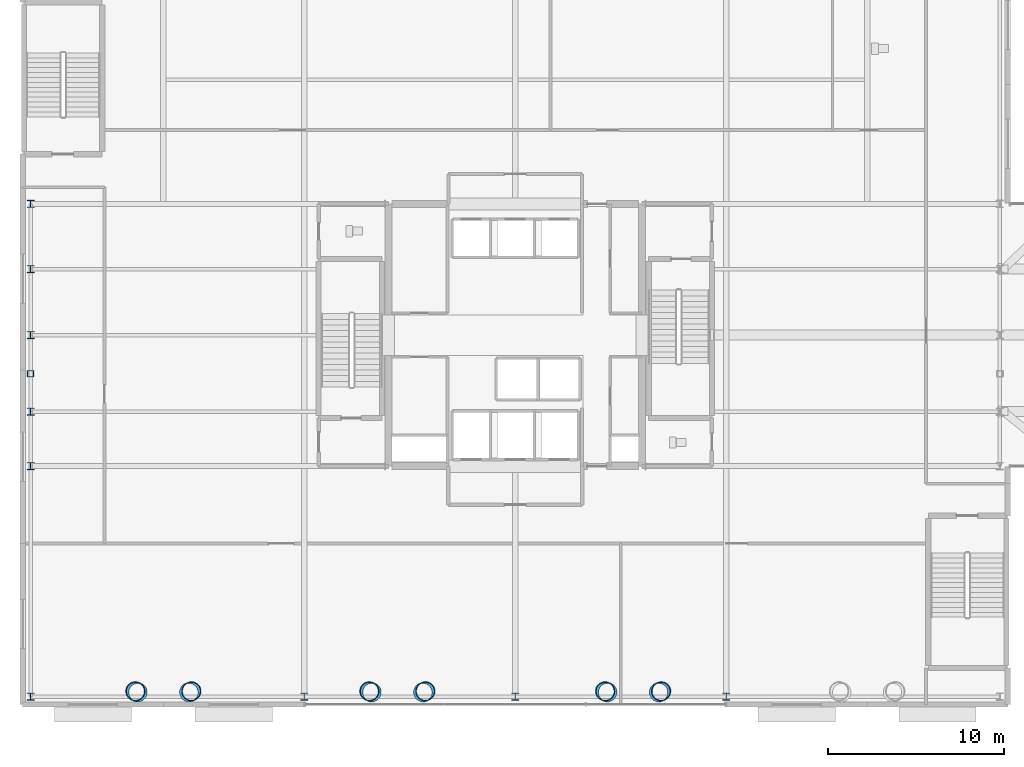
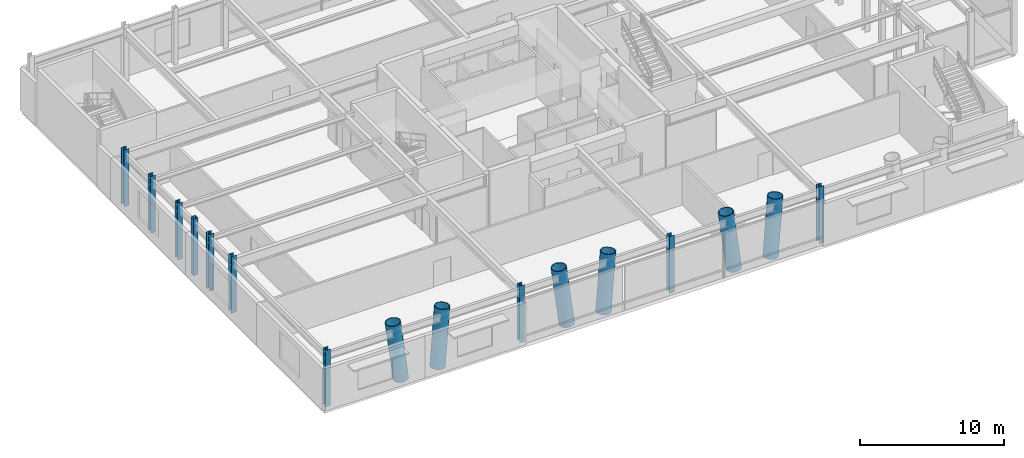
# One storey, part 1 of 26: 16 columns.
"""IFC4 building model written with IfcOpenShell, lengths in metres."""

from ifc_helpers import new_model, si_unit, direction, frame, origin, origin_2d, place, context, subcontext, project, spatial, hollow_rectangle, hollow_circle, i_section, extrude, material, material_profile, profile_set, type_object, element, save


model = new_model("IFC4")

# Units and contexts
model_context = context("Model", 3, precision=1e-05, world=origin(), true_north=direction((0.0, 1.0)))
body_context = subcontext(model_context, "Body", "Model", "MODEL_VIEW")
ifc_project = project(units=[si_unit("LENGTHUNIT", "METRE"), si_unit("AREAUNIT", "SQUARE_METRE"), si_unit("VOLUMEUNIT", "CUBIC_METRE"), si_unit("PLANEANGLEUNIT", "RADIAN"), si_unit("MASSUNIT", "GRAM", prefix="KILO")], contexts=[model_context])

# Site, building, storey
site_placement = place(None, origin())
site = spatial("IfcSite", under=ifc_project, at=site_placement, CompositionType="ELEMENT")
building_placement = place(site_placement, origin())
building = spatial("IfcBuilding", under=site, at=building_placement, Name="Veldorina Hangang Commons", CompositionType="ELEMENT")
storey_placement = place(building_placement, frame((0.0, 0.0, 5.199951171875)))
storey = spatial("IfcBuildingStorey", under=building, at=storey_placement, Name="L01", CompositionType="ELEMENT", Elevation=5.199951171875)

# Columns
ifc_material_1 = material(Name="Steel SM460-TMC", Category="steel")
ifc_material_profile_1 = material_profile(ifc_material_1, i_section(OverallWidth=0.39990234375, OverallDepth=0.39990234375, WebThickness=0.012939453125, FlangeThickness=0.02099609375, FilletRadius=0.01806640625, at=origin_2d()), Name="H-400x400x13x21")
ifc_profile_set_1 = profile_set([ifc_material_profile_1], Name="Steel SM460-TMC")
column_type_1 = type_object("IfcColumnType", Name="COL-H400", PredefinedType="COLUMN", material=ifc_profile_set_1)
for number, where, z_axis, x_axis, name in (
    (1, (4.449951171875, 3.449951171875, 0.0), (0.0, 0.0, 1.0), (1.0, 0.0, 0.0), "L01 structural column S1"),
    (2, (20.0, 3.449951171875, 0.0), (0.0, 0.0, 1.0), (1.0, 0.0, 0.0), "L01 structural column S3"),
    (3, (32.0, 3.449951171875, 0.0), (0.0, 0.0, 1.0), (1.0, 0.0, 0.0), "L01 structural column S4"),
    (4, (44.0, 3.449951171875, 0.0), (0.0, 0.0, 1.0), (1.0, 0.0, 0.0), "L01 structural column S5"),
    (5, (4.449951171875, 16.550048828125, 0.0), (0.0, 0.0, 1.0), (1.0, 0.0, 0.0), "L01 structural column W1"),
    (6, (4.449951171875, 19.64990234375, 0.0), (0.0, 0.0, 1.0), (1.0, 0.0, 0.0), "L01 structural column W2"),
    (7, (4.449951171875, 24.0, 0.0), (0.0, 0.0, 1.0), (1.0, 0.0, 0.0), "L01 structural column W3"),
    (8, (4.449951171875, 27.75, 0.0), (0.0, 0.0, 1.0), (1.0, 0.0, 0.0), "L01 structural column W4"),
    (9, (4.449951171875, 31.449951171875, 0.0), (0.0, 0.0, 1.0), (1.0, 0.0, 0.0), "L01 structural column W5"),
):
    element("IfcColumn", number, at=place(storey_placement, frame(where, z_axis=z_axis, x_axis=x_axis)), inside=storey, type_object=column_type_1, Name=name, PredefinedType="COLUMN", context=body_context, shape_type="SweptSolid", body=[
        extrude(i_section(OverallWidth=0.39990234375, OverallDepth=0.39990234375, WebThickness=0.012939453125, FlangeThickness=0.02099609375, FilletRadius=0.01806640625, at=origin_2d()), origin(), (0.0, 0.0, 1.0), 4.800048828125),
    ])
ifc_material_2 = material(Name="Steel SM355-TMC", Category="steel")
ifc_material_profile_2 = material_profile(ifc_material_2, hollow_rectangle(XDim=0.35009765625, YDim=0.35009765625, WallThickness=0.01611328125, at=origin_2d()), Name="SHS-350x350x16")
ifc_profile_set_2 = profile_set([ifc_material_profile_2], Name="Steel SM355-TMC")
column_type_2 = type_object("IfcColumnType", Name="COL-PIL-350", PredefinedType="PILASTER", material=ifc_profile_set_2)
column_placement = place(storey_placement, frame((4.449951171875, 21.800048828125, 0.0), z_axis=(0.0, 0.0, 1.0), x_axis=(1.0, 0.0, 0.0)))
element("IfcColumn", 10, at=column_placement, inside=storey, type_object=column_type_2, Name="L01 rationalist colonnade pilaster 3", PredefinedType="PILASTER", context=body_context, shape_type="SweptSolid", body=[
    extrude(hollow_rectangle(XDim=0.35009765625, YDim=0.35009765625, WallThickness=0.01611328125, at=origin_2d()), origin(), (0.0, 0.0, 1.0), 4.800048828125),
])
ifc_material_3 = material(Name="Steel SM490-TMC", Category="steel")
ifc_material_profile_3 = material_profile(ifc_material_3, hollow_circle(Radius=0.550048828125, WallThickness=0.050048828125, at=origin_2d()), Name="CHS-1100x50")
ifc_profile_set_3 = profile_set([ifc_material_profile_3], Name="Steel SM490-TMC")
column_type_3 = type_object("IfcColumnType", Name="COL-VC1100", PredefinedType="COLUMN", material=ifc_profile_set_3)
for number, where, z_axis, x_axis, name in (
    (11, (10.5302734375, 3.695068359375, 0.0), (-0.105040667994, 0.046836315166, 0.993364393186), (-0.407238706506, -0.913321759252, 0.0), "L01 sculptural V-column VC-1 leg L"),
    (12, (13.4697265625, 3.695068359375, 0.0), (0.105040667994, 0.046836315166, 0.993364393186), (-0.407238706506, 0.913321759252, 0.0), "L01 sculptural V-column VC-1 leg R"),
    (13, (23.830078125, 3.695068359375, 0.0), (-0.105040667994, 0.046836315166, 0.993364393186), (-0.407238706506, -0.913321759252, 0.0), "L01 sculptural V-column VC-2 leg L"),
    (14, (26.769775390625, 3.695068359375, 0.0), (0.105040667994, 0.046836315166, 0.993364393186), (-0.407238706506, 0.913321759252, 0.0), "L01 sculptural V-column VC-2 leg R"),
    (15, (37.230224609375, 3.695068359375, 0.0), (-0.105040667994, 0.046836315166, 0.993364393186), (-0.407238706506, -0.913321759252, 0.0), "L01 sculptural V-column VC-3 leg L"),
    (16, (40.169921875, 3.695068359375, 0.0), (0.105040667994, 0.046836315166, 0.993364393186), (-0.407238706506, 0.913321759252, 0.0), "L01 sculptural V-column VC-3 leg R"),
):
    element("IfcColumn", number, at=place(storey_placement, frame(where, z_axis=z_axis, x_axis=x_axis)), inside=storey, type_object=column_type_3, Name=name, PredefinedType="COLUMN", context=body_context, shape_type="SweptSolid", body=[
        extrude(hollow_circle(Radius=0.550048828125, WallThickness=0.050048828125, at=origin_2d()), origin(), (0.0, 0.0, 1.0), 4.83203125),
    ])

save(model, "model.ifc")
